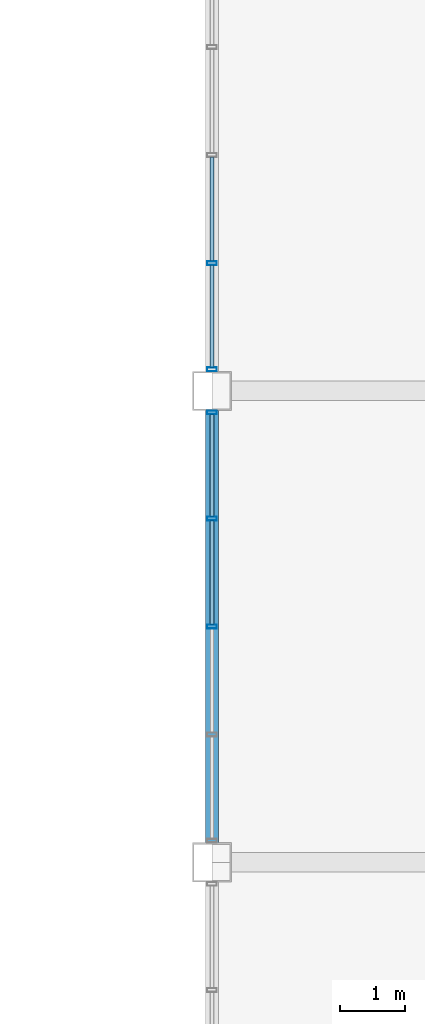
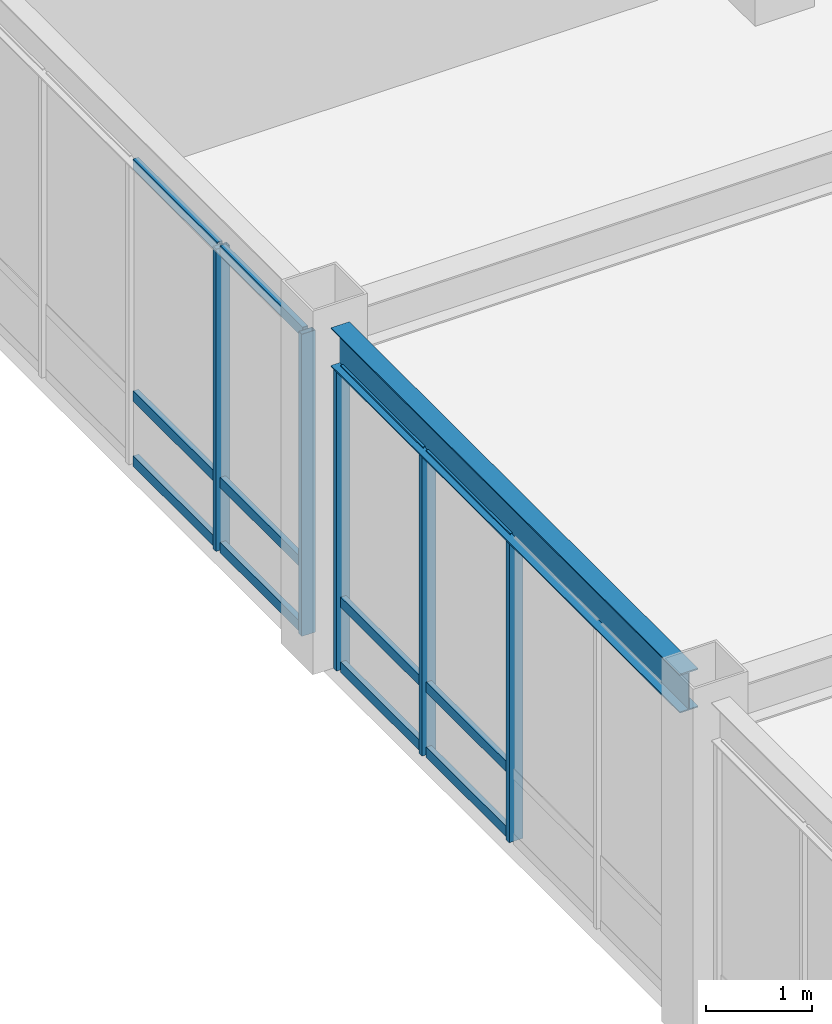
# One storey, part 44 of 106: 17 members, 1 beam, 2 elements without a shape of their own.
"""IFC4 building model written with IfcOpenShell, lengths in metres."""

import ifcopenshell
import ifcopenshell.guid

model = None  # the IFC model being written
_history = None  # IfcOwnerHistory: only IFC2X3 demands one
_inside = {}  # id of a spatial element -> (the spatial element, [elements in it])
_under = {}  # id of a project, library or spatial element -> (it, [spatial elements below it])
_declared = {}  # id of a project -> (the project, [libraries it declares])
_typed = {}  # id of a type object -> (the type object, [elements of that type])
_made_of = {}  # id of a material, layer set ... -> (it, [elements and type objects made of it])


def new_model(schema):
    """Start an empty IFC model of exactly this schema.

    Asked for "IFC4X3", IfcOpenShell would pick the latest addendum, in which some entities
    have other attributes; the version numbers below select the first issue.
    IFC2X3 requires an IfcOwnerHistory on every rooted entity: one is made here for all.
    """
    global model, _history
    if schema == "IFC4X3":
        model = ifcopenshell.file(schema_version=(4, 3, 0, 0))
    else:
        model = ifcopenshell.file(schema=schema)
    _inside.clear()
    _under.clear()
    _declared.clear()
    _typed.clear()
    _made_of.clear()
    _history = None
    if model.schema == "IFC2X3":
        org = make("IfcOrganization", Name="unknown")
        user = make(
            "IfcPersonAndOrganization",
            ThePerson=make("IfcPerson", FamilyName="unknown"),
            TheOrganization=org,
        )
        app = make(
            "IfcApplication",
            ApplicationDeveloper=org,
            Version="unknown",
            ApplicationFullName="unknown",
            ApplicationIdentifier="unknown",
        )
        _history = make(
            "IfcOwnerHistory",
            OwningUser=user,
            OwningApplication=app,
            ChangeAction="ADDED",
            CreationDate=0,
        )
    return model


def make(cls, **values):
    """One entity of the class cls with the attributes given. An attribute that is None is left unset."""
    return model.create_entity(
        cls, **{name: value for name, value in values.items() if value is not None}
    )


def rooted(cls, **values):
    """An entity with a GlobalId (a new one), such as an element, a storey or a relation."""
    return make(cls, GlobalId=ifcopenshell.guid.new(), OwnerHistory=_history, **values)


def si_unit(unit_type, name, prefix=None):
    """IfcSIUnit, for example si_unit("LENGTHUNIT", "METRE", prefix="MILLI")."""
    return make("IfcSIUnit", UnitType=unit_type, Prefix=prefix, Name=name)


def assignment(units):
    """IfcUnitAssignment: the units of a project."""
    return None if units is None else make("IfcUnitAssignment", Units=units)


def point(xyz):
    """IfcCartesianPoint."""
    return None if xyz is None else make("IfcCartesianPoint", Coordinates=xyz)


def direction(xyz):
    """IfcDirection."""
    return None if xyz is None else make("IfcDirection", DirectionRatios=xyz)


def frame(location, z_axis=None, x_axis=None):
    """IfcAxis2Placement3D, a coordinate frame: its origin and axes. An axis left out is left unset."""
    return make(
        "IfcAxis2Placement3D",
        Location=point(location),
        Axis=direction(z_axis),
        RefDirection=direction(x_axis),
    )


def frame_2d(location, x_axis=None):
    """IfcAxis2Placement2D, a coordinate frame in the plane: its origin and x axis."""
    return make(
        "IfcAxis2Placement2D", Location=point(location), RefDirection=direction(x_axis)
    )


def origin():
    """The frame at (0, 0, 0) with its axes left unset."""
    return frame((0.0, 0.0, 0.0))


def origin_2d():
    """The frame at (0, 0) in the plane with its x axis left unset."""
    return frame_2d((0.0, 0.0))


def place(relative_to, where):
    """IfcLocalPlacement: puts the frame where relative to a parent placement (None: the world)."""
    return make(
        "IfcLocalPlacement", PlacementRelTo=relative_to, RelativePlacement=where
    )


def context(
    kind, dimensions, precision=None, world=None, true_north=None, identifier=None
):
    """IfcGeometricRepresentationContext, for example the 3D "Model" context."""
    return make(
        "IfcGeometricRepresentationContext",
        ContextIdentifier=identifier,
        ContextType=kind,
        CoordinateSpaceDimension=dimensions,
        Precision=precision,
        WorldCoordinateSystem=world,
        TrueNorth=true_north,
    )


def subcontext(parent, identifier, kind, view, scale=None):
    """IfcGeometricRepresentationSubContext, for example "Body" below "Model"."""
    return make(
        "IfcGeometricRepresentationSubContext",
        ContextIdentifier=identifier,
        ContextType=kind,
        ParentContext=parent,
        TargetScale=scale,
        TargetView=view,
    )


def project(units=None, contexts=None):
    """IfcProject with its units and contexts."""
    return rooted(
        "IfcProject",
        Name="project",
        RepresentationContexts=contexts,
        UnitsInContext=assignment(units),
    )


def spatial(cls, under=None, at=None, **own):
    """A site, building, storey or space (cls), placed at a placement, below another one or the project."""
    s = rooted(cls, ObjectPlacement=at, **own)
    if under is not None:
        _under.setdefault(under.id(), (under, []))[1].append(s)
    return s


def profile(cls, at=None, kind="AREA", **sizes):
    """A parametric profile (cls). Its sizes go by their IFC names, for example OverallWidth=200.0."""
    return make(cls, ProfileType=kind, Position=at, **sizes)


def hollow_rectangle(**sizes):
    """IfcRectangleHollowProfileDef."""
    return profile("IfcRectangleHollowProfileDef", **sizes)


def i_section(**sizes):
    """IfcIShapeProfileDef."""
    return profile("IfcIShapeProfileDef", **sizes)


def extrude(swept, where, along, depth):
    """IfcExtrudedAreaSolid: the profile swept, set in the frame where, extruded along a direction by depth."""
    return make(
        "IfcExtrudedAreaSolid",
        SweptArea=swept,
        Position=where,
        ExtrudedDirection=direction(along),
        Depth=depth,
    )


def shape(context_of_items, identifier, shape_type, items):
    """IfcShapeRepresentation: the items that make up one representation, for example the "Body"."""
    return make(
        "IfcShapeRepresentation",
        ContextOfItems=context_of_items,
        RepresentationIdentifier=identifier,
        RepresentationType=shape_type,
        Items=items,
    )


def material(Name=None, Category=None):
    """IfcMaterial."""
    return make("IfcMaterial", Name=Name, Category=Category)


def material_profile(
    of_material, cross_section, Name=None, Category=None, Priority=None
):
    """IfcMaterialProfile: a cross section and its material."""
    return make(
        "IfcMaterialProfile",
        Name=Name,
        Material=of_material,
        Profile=cross_section,
        Priority=Priority,
        Category=Category,
    )


def profile_set(profiles, Name=None, composite=None):
    """IfcMaterialProfileSet."""
    return make(
        "IfcMaterialProfileSet",
        Name=Name,
        MaterialProfiles=profiles,
        CompositeProfile=composite,
    )


def made_of(thing, what):
    """Note that an element or type object is made of a material, layer set ...; save() writes the relation."""
    if what is not None:
        _made_of.setdefault(what.id(), (what, []))[1].append(thing)
    return thing


def type_object(cls, material=None, **own):
    """A type object (cls), such as IfcWallType, which elements share."""
    return made_of(rooted(cls, **own), material)


def element(
    cls,
    number,
    at=None,
    inside=None,
    cuts=None,
    type_object=None,
    material=None,
    context=None,
    identifier="Body",
    shape_type=None,
    held_by="IfcProductDefinitionShape",
    body=None,
    shapes=None,
    **own,
):
    """One element of the class cls, such as IfcWall. Its Tag is "e" and its number.

    at: its placement. inside: the storey or other place that contains it. cuts: it is an
    opening in that element (IfcRelVoidsElement). A single representation is given by context,
    identifier, shape_type and body (its items); several are given by shapes. held_by: the class
    of the entity that holds the representations. save() writes the other relations.
    """
    e = rooted(cls, Tag="e%d" % number, ObjectPlacement=at, **own)
    if body is not None:
        shapes = [shape(context, identifier, shape_type, body)]
    if shapes is not None:
        e.Representation = make(held_by, Representations=shapes)
    if inside is not None:
        _inside.setdefault(inside.id(), (inside, []))[1].append(e)
    if cuts is not None:
        rooted(
            "IfcRelVoidsElement", RelatingBuildingElement=cuts, RelatedOpeningElement=e
        )
    if type_object is not None:
        _typed.setdefault(type_object.id(), (type_object, []))[1].append(e)
    return made_of(e, material)


def aggregate(whole, parts):
    """IfcRelAggregates: a whole, such as a stair, and the parts it consists of."""
    return rooted("IfcRelAggregates", RelatingObject=whole, RelatedObjects=parts)


def save(model, path):
    """Write the relations noted so far, then the file.

    IfcRelAggregates (storeys below a building ...), IfcRelContainedInSpatialStructure (elements
    in a storey), IfcRelDefinesByType, IfcRelAssociatesMaterial and IfcRelDeclares: one each for
    every whole, place, type object, material and project.
    """
    for whole, parts in _under.values():
        aggregate(whole, parts)
    for where, things in _inside.values():
        rooted(
            "IfcRelContainedInSpatialStructure",
            RelatedElements=things,
            RelatingStructure=where,
        )
    for kind, things in _typed.values():
        rooted("IfcRelDefinesByType", RelatedObjects=things, RelatingType=kind)
    for what, things in _made_of.values():
        rooted("IfcRelAssociatesMaterial", RelatedObjects=things, RelatingMaterial=what)
    for by, libraries in _declared.values():
        rooted("IfcRelDeclares", RelatingContext=by, RelatedDefinitions=libraries)
    model.write(path)


model = new_model("IFC4")

# Units and contexts
model_context = context("Model", 3, precision=1e-05, world=origin(), true_north=direction((0.0, 1.0)))
body_context = subcontext(model_context, "Body", "Model", "MODEL_VIEW")
ifc_project = project(units=[si_unit("LENGTHUNIT", "METRE"), si_unit("AREAUNIT", "SQUARE_METRE"), si_unit("VOLUMEUNIT", "CUBIC_METRE"), si_unit("PLANEANGLEUNIT", "RADIAN"), si_unit("MASSUNIT", "GRAM", prefix="KILO")], contexts=[model_context])

# Site, building, storey
site_placement = place(None, origin())
site = spatial("IfcSite", under=ifc_project, at=site_placement, CompositionType="ELEMENT")
building_placement = place(site_placement, origin())
building = spatial("IfcBuilding", under=site, at=building_placement, Name="Kazanami Central Library", CompositionType="ELEMENT")
storey_placement = place(building_placement, frame((0.0, 0.0, 12.800048828125)))
storey = spatial("IfcBuildingStorey", under=building, at=storey_placement, Name="L04", CompositionType="ELEMENT", Elevation=12.800048828125)

# Beam
ifc_material_1 = material(Name="Steel SN490B (325 MPa)", Category="steel")
ifc_material_profile_1 = material_profile(ifc_material_1, i_section(OverallWidth=0.199951171875, OverallDepth=0.449951171875, WebThickness=0.009033203125, FlangeThickness=0.013916015625, at=origin_2d()), Name="H-450x200x9x14")
ifc_profile_set_1 = profile_set([ifc_material_profile_1], Name="Steel SN490B (325 MPa)")
beam_type = type_object("IfcBeamType", Name="BM-SP-2", PredefinedType="SPANDREL", material=ifc_profile_set_1)
beam_placement = place(storey_placement, frame((117.0, 50.697998046875, 3.71484375), z_axis=(0.0, 1.0, 0.0), x_axis=(-1.0, 0.0, 0.0)))
element("IfcBeam", 1, at=beam_placement, inside=storey, type_object=beam_type, Name="Girder SP-2 L04 14/H-J", PredefinedType="SPANDREL", context=body_context, shape_type="SweptSolid", body=[
    extrude(i_section(OverallWidth=0.199951171875, OverallDepth=0.449951171875, WebThickness=0.009033203125, FlangeThickness=0.013916015625, at=origin_2d()), origin(), (0.0, 0.0, 1.0), 6.60400390625),
])

# Curtain wall, members
ifc_material_2 = material(Name="Acid-Etched Low-E Laminated Glass", Category="glass")
curtain_wall_type = type_object("IfcCurtainWallType", Name="CW-6600x3490-M180", PredefinedType="USERDEFINED", material=ifc_material_2)
curtain_wall_1_placement = place(storey_placement, origin())
curtain_wall_1 = element("IfcCurtainWall", 2, at=curtain_wall_1_placement, inside=storey, type_object=curtain_wall_type, Name="Covered Link Bridge Curtain Wall CW-48 L04 W-14-07", ObjectType="UNITISED CURTAIN WALL", PredefinedType="USERDEFINED")
ifc_material_3 = material(Name="Anodised Aluminium A6063-T5", Category="aluminium")
ifc_material_profile_2 = material_profile(ifc_material_3, hollow_rectangle(XDim=0.06005859375, YDim=0.14990234375, WallThickness=0.00390625, at=origin_2d()), Name="ALU-MULL-60x150x4")
ifc_profile_set_2 = profile_set([ifc_material_profile_2], Name="Anodised Aluminium A6063-T5")
member_type_1 = type_object("IfcMemberType", Name="MEM-CW-M3", PredefinedType="MULLION", material=ifc_profile_set_2)
member_1_placement = place(storey_placement, frame((117.0, 54.0, 0.0), z_axis=(0.0, 0.0, 1.0), x_axis=(0.0, 1.0, 0.0)))
member_1 = element("IfcMember", 3, at=member_1_placement, type_object=member_type_1, Name="CW-48 mullion 3", PredefinedType="MULLION", context=body_context, shape_type="SweptSolid", body=[
    extrude(hollow_rectangle(XDim=0.06005859375, YDim=0.14990234375, WallThickness=0.00390625, at=origin_2d()), origin(), (0.0, 0.0, 1.0), 3.489990234375),
])
member_2_placement = place(storey_placement, frame((117.0, 55.64990234375, 0.0), z_axis=(0.0, 0.0, 1.0), x_axis=(0.0, 1.0, 0.0)))
member_2 = element("IfcMember", 4, at=member_2_placement, type_object=member_type_1, Name="CW-48 mullion 4", PredefinedType="MULLION", context=body_context, shape_type="SweptSolid", body=[
    extrude(hollow_rectangle(XDim=0.06005859375, YDim=0.14990234375, WallThickness=0.00390625, at=origin_2d()), origin(), (0.0, 0.0, 1.0), 3.489990234375),
])
member_3_placement = place(storey_placement, frame((117.0, 57.27001953125, 0.0), z_axis=(0.0, 0.0, 1.0), x_axis=(0.0, 1.0, 0.0)))
member_3 = element("IfcMember", 5, at=member_3_placement, type_object=member_type_1, Name="CW-48 mullion 5", PredefinedType="MULLION", context=body_context, shape_type="SweptSolid", body=[
    extrude(hollow_rectangle(XDim=0.06005859375, YDim=0.14990234375, WallThickness=0.00390625, at=origin_2d()), origin(), (0.0, 0.0, 1.0), 3.489990234375),
])

curtain_wall_2_placement = place(storey_placement, origin())
curtain_wall_2 = element("IfcCurtainWall", 6, at=curtain_wall_2_placement, inside=storey, type_object=curtain_wall_type, Name="Covered Link Bridge Curtain Wall CW-48 L04 W-14-08", ObjectType="UNITISED CURTAIN WALL", PredefinedType="USERDEFINED")
member_4_placement = place(storey_placement, frame((117.0, 57.929931640625, 0.0), z_axis=(0.0, 0.0, 1.0), x_axis=(0.0, 1.0, 0.0)))
member_4 = element("IfcMember", 7, at=member_4_placement, type_object=member_type_1, Name="CW-48 mullion 1", PredefinedType="MULLION", context=body_context, shape_type="SweptSolid", body=[
    extrude(hollow_rectangle(XDim=0.06005859375, YDim=0.14990234375, WallThickness=0.00390625, at=origin_2d()), origin(), (0.0, 0.0, 1.0), 3.489990234375),
])
member_5_placement = place(storey_placement, frame((117.0, 59.550048828125, 0.0), z_axis=(0.0, 0.0, 1.0), x_axis=(0.0, 1.0, 0.0)))
member_5 = element("IfcMember", 8, at=member_5_placement, type_object=member_type_1, Name="CW-48 mullion 2", PredefinedType="MULLION", context=body_context, shape_type="SweptSolid", body=[
    extrude(hollow_rectangle(XDim=0.06005859375, YDim=0.14990234375, WallThickness=0.00390625, at=origin_2d()), origin(), (0.0, 0.0, 1.0), 3.489990234375),
])

# Member
ifc_material_profile_3 = material_profile(ifc_material_3, hollow_rectangle(XDim=0.06005859375, YDim=0.1201171875, WallThickness=0.00341796875, at=origin_2d()), Name="ALU-TRAN-60x120x3.5")
ifc_profile_set_3 = profile_set([ifc_material_profile_3], Name="Anodised Aluminium A6063-T5")
member_type_2 = type_object("IfcMemberType", Name="MEM-CW-T3", PredefinedType="USERDEFINED", material=ifc_profile_set_3)
member_6_placement = place(storey_placement, frame((117.0, 54.030029296875, 0.030029296875), z_axis=(0.0, 1.0, 0.0), x_axis=(-1.0, 0.0, 0.0)))
member_6 = element("IfcMember", 9, at=member_6_placement, type_object=member_type_2, Name="CW-48 transom 3.1", ObjectType="TRANSOM", PredefinedType="USERDEFINED", context=body_context, shape_type="SweptSolid", body=[
    extrude(hollow_rectangle(XDim=0.06005859375, YDim=0.1201171875, WallThickness=0.00341796875, at=origin_2d()), origin(), (0.0, 0.0, 1.0), 1.590087890625),
])

member_7_placement = place(storey_placement, frame((117.0, 54.030029296875, 0.780029296875), z_axis=(0.0, 1.0, 0.0), x_axis=(-1.0, 0.0, 0.0)))
member_7 = element("IfcMember", 10, at=member_7_placement, type_object=member_type_2, Name="CW-48 transom 3.2", ObjectType="TRANSOM", PredefinedType="USERDEFINED", context=body_context, shape_type="SweptSolid", body=[
    extrude(hollow_rectangle(XDim=0.06005859375, YDim=0.1201171875, WallThickness=0.00341796875, at=origin_2d()), origin(), (0.0, 0.0, 1.0), 1.590087890625),
])

member_8_placement = place(storey_placement, frame((117.0, 54.030029296875, 3.4599609375), z_axis=(0.0, 1.0, 0.0), x_axis=(-1.0, 0.0, 0.0)))
member_8 = element("IfcMember", 11, at=member_8_placement, type_object=member_type_2, Name="CW-48 transom 3.3", ObjectType="TRANSOM", PredefinedType="USERDEFINED", context=body_context, shape_type="SweptSolid", body=[
    extrude(hollow_rectangle(XDim=0.06005859375, YDim=0.1201171875, WallThickness=0.00341796875, at=origin_2d()), origin(), (0.0, 0.0, 1.0), 1.590087890625),
])

member_9_placement = place(storey_placement, frame((117.0, 55.679931640625, 0.030029296875), z_axis=(0.0, 1.0, 0.0), x_axis=(-1.0, 0.0, 0.0)))
member_9 = element("IfcMember", 12, at=member_9_placement, type_object=member_type_2, Name="CW-48 transom 4.1", ObjectType="TRANSOM", PredefinedType="USERDEFINED", context=body_context, shape_type="SweptSolid", body=[
    extrude(hollow_rectangle(XDim=0.06005859375, YDim=0.1201171875, WallThickness=0.00341796875, at=origin_2d()), origin(), (0.0, 0.0, 1.0), 1.56005859375),
])

member_10_placement = place(storey_placement, frame((117.0, 55.679931640625, 0.780029296875), z_axis=(0.0, 1.0, 0.0), x_axis=(-1.0, 0.0, 0.0)))
member_10 = element("IfcMember", 13, at=member_10_placement, type_object=member_type_2, Name="CW-48 transom 4.2", ObjectType="TRANSOM", PredefinedType="USERDEFINED", context=body_context, shape_type="SweptSolid", body=[
    extrude(hollow_rectangle(XDim=0.06005859375, YDim=0.1201171875, WallThickness=0.00341796875, at=origin_2d()), origin(), (0.0, 0.0, 1.0), 1.56005859375),
])

member_11_placement = place(storey_placement, frame((117.0, 55.679931640625, 3.4599609375), z_axis=(0.0, 1.0, 0.0), x_axis=(-1.0, 0.0, 0.0)))
member_11 = element("IfcMember", 14, at=member_11_placement, type_object=member_type_2, Name="CW-48 transom 4.3", ObjectType="TRANSOM", PredefinedType="USERDEFINED", context=body_context, shape_type="SweptSolid", body=[
    extrude(hollow_rectangle(XDim=0.06005859375, YDim=0.1201171875, WallThickness=0.00341796875, at=origin_2d()), origin(), (0.0, 0.0, 1.0), 1.56005859375),
])

aggregate(curtain_wall_1, [member_1, member_2, member_3, member_6, member_7, member_8, member_9, member_10, member_11])

member_12_placement = place(storey_placement, frame((117.0, 57.9599609375, 0.030029296875), z_axis=(0.0, 1.0, 0.0), x_axis=(-1.0, 0.0, 0.0)))
member_12 = element("IfcMember", 15, at=member_12_placement, type_object=member_type_2, Name="CW-48 transom 1.1", ObjectType="TRANSOM", PredefinedType="USERDEFINED", context=body_context, shape_type="SweptSolid", body=[
    extrude(hollow_rectangle(XDim=0.06005859375, YDim=0.1201171875, WallThickness=0.00341796875, at=origin_2d()), origin(), (0.0, 0.0, 1.0), 1.56005859375),
])

member_13_placement = place(storey_placement, frame((117.0, 57.9599609375, 0.780029296875), z_axis=(0.0, 1.0, 0.0), x_axis=(-1.0, 0.0, 0.0)))
member_13 = element("IfcMember", 16, at=member_13_placement, type_object=member_type_2, Name="CW-48 transom 1.2", ObjectType="TRANSOM", PredefinedType="USERDEFINED", context=body_context, shape_type="SweptSolid", body=[
    extrude(hollow_rectangle(XDim=0.06005859375, YDim=0.1201171875, WallThickness=0.00341796875, at=origin_2d()), origin(), (0.0, 0.0, 1.0), 1.56005859375),
])

member_14_placement = place(storey_placement, frame((117.0, 57.9599609375, 3.4599609375), z_axis=(0.0, 1.0, 0.0), x_axis=(-1.0, 0.0, 0.0)))
member_14 = element("IfcMember", 17, at=member_14_placement, type_object=member_type_2, Name="CW-48 transom 1.3", ObjectType="TRANSOM", PredefinedType="USERDEFINED", context=body_context, shape_type="SweptSolid", body=[
    extrude(hollow_rectangle(XDim=0.06005859375, YDim=0.1201171875, WallThickness=0.00341796875, at=origin_2d()), origin(), (0.0, 0.0, 1.0), 1.56005859375),
])

member_15_placement = place(storey_placement, frame((117.0, 59.580078125, 0.030029296875), z_axis=(0.0, 1.0, 0.0), x_axis=(-1.0, 0.0, 0.0)))
member_15 = element("IfcMember", 18, at=member_15_placement, type_object=member_type_2, Name="CW-48 transom 2.1", ObjectType="TRANSOM", PredefinedType="USERDEFINED", context=body_context, shape_type="SweptSolid", body=[
    extrude(hollow_rectangle(XDim=0.06005859375, YDim=0.1201171875, WallThickness=0.00341796875, at=origin_2d()), origin(), (0.0, 0.0, 1.0), 1.58984375),
])

member_16_placement = place(storey_placement, frame((117.0, 59.580078125, 0.780029296875), z_axis=(0.0, 1.0, 0.0), x_axis=(-1.0, 0.0, 0.0)))
member_16 = element("IfcMember", 19, at=member_16_placement, type_object=member_type_2, Name="CW-48 transom 2.2", ObjectType="TRANSOM", PredefinedType="USERDEFINED", context=body_context, shape_type="SweptSolid", body=[
    extrude(hollow_rectangle(XDim=0.06005859375, YDim=0.1201171875, WallThickness=0.00341796875, at=origin_2d()), origin(), (0.0, 0.0, 1.0), 1.58984375),
])

member_17_placement = place(storey_placement, frame((117.0, 59.580078125, 3.4599609375), z_axis=(0.0, 1.0, 0.0), x_axis=(-1.0, 0.0, 0.0)))
member_17 = element("IfcMember", 20, at=member_17_placement, type_object=member_type_2, Name="CW-48 transom 2.3", ObjectType="TRANSOM", PredefinedType="USERDEFINED", context=body_context, shape_type="SweptSolid", body=[
    extrude(hollow_rectangle(XDim=0.06005859375, YDim=0.1201171875, WallThickness=0.00341796875, at=origin_2d()), origin(), (0.0, 0.0, 1.0), 1.58984375),
])

aggregate(curtain_wall_2, [member_4, member_5, member_12, member_13, member_14, member_15, member_16, member_17])

save(model, "model.ifc")
